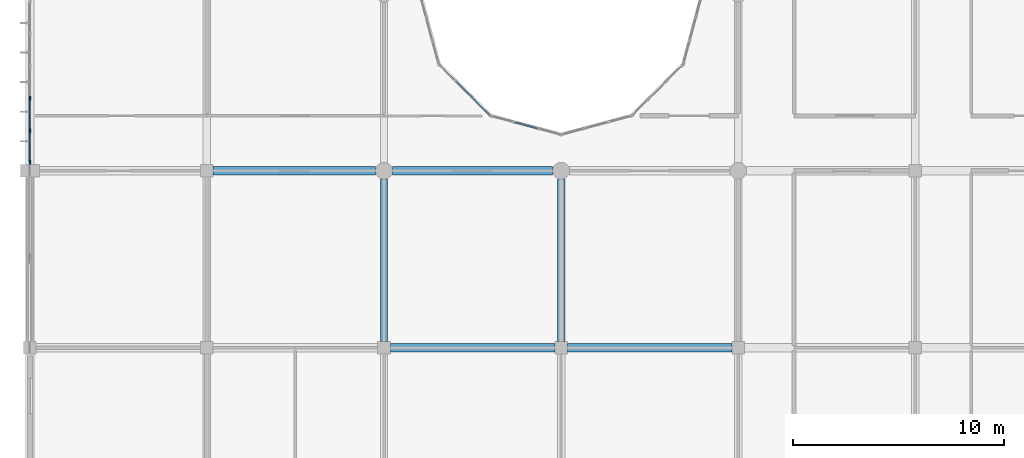
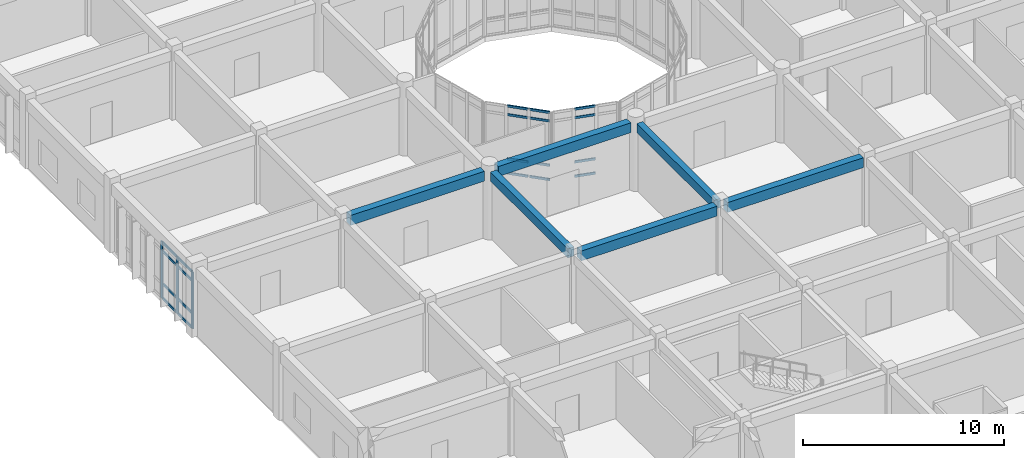
# One storey, part 31 of 144: 23 members, 6 beams, 3 elements without a shape of their own.
"""IFC4 building model written with IfcOpenShell, lengths in metres."""

from ifc_helpers import new_model, si_unit, direction, frame, origin, origin_2d, place, context, subcontext, project, spatial, rectangle, hollow_rectangle, extrude, material, layer, layer_set, material_profile, profile_set, type_object, element, aggregate, save


model = new_model("IFC4")

# Units and contexts
model_context = context("Model", 3, precision=1e-05, world=origin(), true_north=direction((0.0, 1.0)))
body_context = subcontext(model_context, "Body", "Model", "MODEL_VIEW")
ifc_project = project(units=[si_unit("LENGTHUNIT", "METRE"), si_unit("AREAUNIT", "SQUARE_METRE"), si_unit("VOLUMEUNIT", "CUBIC_METRE"), si_unit("PLANEANGLEUNIT", "RADIAN"), si_unit("MASSUNIT", "GRAM", prefix="KILO")], contexts=[model_context])

# Site, building, storey
site_placement = place(None, origin())
site = spatial("IfcSite", under=ifc_project, at=site_placement, CompositionType="ELEMENT")
building_placement = place(site_placement, origin())
building = spatial("IfcBuilding", under=site, at=building_placement, Name="Bramfleet General Hospital", CompositionType="ELEMENT")
storey_placement = place(building_placement, frame((0.0, 0.0, 4.800048828125)))
storey = spatial("IfcBuildingStorey", under=building, at=storey_placement, Name="L01", CompositionType="ELEMENT", Elevation=4.800048828125)

# Beams
ifc_material_1 = material(Name="Concrete C35/45", Category="concrete")
ifc_material_profile_1 = material_profile(ifc_material_1, rectangle(XDim=0.35009765625, YDim=0.550048828125, at=origin_2d()), Name="RC BM 550x350")
ifc_profile_set_1 = profile_set([ifc_material_profile_1], Name="Concrete C35/45")
beam_type_1 = type_object("IfcBeamType", Name="BM-RC550", PredefinedType="BEAM", material=ifc_profile_set_1)
for number, where, z_axis, x_axis, name in (
    (1, (16.800048828125, 67.5, 3.875), (0.0, 1.0, 0.0), (-1.0, 0.0, 0.0), "L01 Grid Beam Y 02-08"),
    (2, (25.199951171875, 67.5, 3.875), (0.0, 1.0, 0.0), (-1.0, 0.0, 0.0), "L01 Grid Beam Y 03-08"),
):
    element("IfcBeam", number, at=place(storey_placement, frame(where, z_axis=z_axis, x_axis=x_axis)), inside=storey, type_object=beam_type_1, Name=name, PredefinedType="BEAM", context=body_context, shape_type="SweptSolid", body=[
        extrude(rectangle(XDim=0.35009765625, YDim=0.550048828125, at=origin_2d()), origin(), (0.0, 0.0, 1.0), 7.699951171875),
    ])
ifc_material_profile_2 = material_profile(ifc_material_1, rectangle(XDim=0.39990234375, YDim=0.60009765625, at=origin_2d()), Name="RC BM 600x400")
ifc_profile_set_2 = profile_set([ifc_material_profile_2], Name="Concrete C35/45")
beam_type_2 = type_object("IfcBeamType", Name="BM-RC600", PredefinedType="BEAM", material=ifc_profile_set_2)
beam_1_placement = place(storey_placement, frame((8.699951171875, 75.60009765625, 3.849853515625), z_axis=(1.0, 0.0, 0.0), x_axis=(0.0, 1.0, 0.0)))
element("IfcBeam", 3, at=beam_1_placement, inside=storey, type_object=beam_type_2, Name="L01 Grid Beam X 01-09", PredefinedType="BEAM", context=body_context, shape_type="SweptSolid", body=[
    extrude(rectangle(XDim=0.39990234375, YDim=0.60009765625, at=origin_2d()), origin(), (0.0, 0.0, 1.0), 7.699951171875),
])
beam_2_placement = place(storey_placement, frame((17.10009765625, 67.199951171875, 3.849853515625), z_axis=(1.0, 0.0, 0.0), x_axis=(0.0, 1.0, 0.0)))
element("IfcBeam", 4, at=beam_2_placement, inside=storey, type_object=beam_type_2, Name="L01 Grid Beam X 02-08", PredefinedType="BEAM", context=body_context, shape_type="SweptSolid", body=[
    extrude(rectangle(XDim=0.39990234375, YDim=0.60009765625, at=origin_2d()), origin(), (0.0, 0.0, 1.0), 7.7998046875),
])
beam_3_placement = place(storey_placement, frame((17.199951171875, 75.60009765625, 3.849853515625), z_axis=(1.0, 0.0, 0.0), x_axis=(0.0, 1.0, 0.0)))
element("IfcBeam", 5, at=beam_3_placement, inside=storey, type_object=beam_type_2, Name="L01 Grid Beam X 02-09", PredefinedType="BEAM", context=body_context, shape_type="SweptSolid", body=[
    extrude(rectangle(XDim=0.39990234375, YDim=0.60009765625, at=origin_2d()), origin(), (0.0, 0.0, 1.0), 7.60009765625),
])
beam_4_placement = place(storey_placement, frame((25.5, 67.199951171875, 3.849853515625), z_axis=(1.0, 0.0, 0.0), x_axis=(0.0, 1.0, 0.0)))
element("IfcBeam", 6, at=beam_4_placement, inside=storey, type_object=beam_type_2, Name="L01 Grid Beam X 03-08", PredefinedType="BEAM", context=body_context, shape_type="SweptSolid", body=[
    extrude(rectangle(XDim=0.39990234375, YDim=0.60009765625, at=origin_2d()), origin(), (0.0, 0.0, 1.0), 7.800048828125),
])

# Curtain wall, members
ifc_material_2 = material(Name="Anodised aluminium and low-E triple glazing", Category="aluminium")
ifc_layer_1 = layer(ifc_material_2, 0.179931640625, Name="CWT-CW-06")
ifc_layer_set_1 = layer_set([ifc_layer_1], Name="Anodised aluminium and low-E triple glazing")
curtain_wall_type_1 = type_object("IfcCurtainWallType", Name="CWT-CW-06", PredefinedType="USERDEFINED", material=ifc_layer_set_1)
curtain_wall_1_placement = place(storey_placement, origin())
curtain_wall_1 = element("IfcCurtainWall", 7, at=curtain_wall_1_placement, inside=storey, type_object=curtain_wall_type_1, Name="L01 Curtain Wall 42", ObjectType="Unitised curtain wall", PredefinedType="USERDEFINED")
ifc_material_3 = material(Name="Structural timber GL28h", Category="wood")
ifc_material_profile_3 = material_profile(ifc_material_3, rectangle(XDim=0.070068359375, YDim=0.18994140625, at=origin_2d()), Name="LARCH 190x70")
ifc_profile_set_3 = profile_set([ifc_material_profile_3], Name="Structural timber GL28h")
member_type_1 = type_object("IfcMemberType", Name="CWM-LARCH450", PredefinedType="MULLION", material=ifc_profile_set_3)
member_1_placement = place(storey_placement, frame((0.0, 76.010009765625, 0.0), z_axis=(0.0, 0.0, 1.0), x_axis=(-1.0, 0.0, 0.0)))
member_1 = element("IfcMember", 8, at=member_1_placement, type_object=member_type_1, Name="CW-06 mullion 1", PredefinedType="MULLION", context=body_context, shape_type="SweptSolid", body=[
    extrude(rectangle(XDim=0.070068359375, YDim=0.18994140625, at=origin_2d()), origin(), (0.0, 0.0, 1.0), 3.43994140625),
])
member_2_placement = place(storey_placement, frame((0.0, 77.5048828125, 0.0), z_axis=(0.0, 0.0, 1.0), x_axis=(-1.0, 0.0, 0.0)))
member_2 = element("IfcMember", 9, at=member_2_placement, type_object=member_type_1, Name="CW-06 mullion 2", PredefinedType="MULLION", context=body_context, shape_type="SweptSolid", body=[
    extrude(rectangle(XDim=0.070068359375, YDim=0.18994140625, at=origin_2d()), origin(), (0.0, 0.0, 1.0), 3.43994140625),
])
member_3_placement = place(storey_placement, frame((0.0, 79.034912109375, 0.0), z_axis=(0.0, 0.0, 1.0), x_axis=(-1.0, 0.0, 0.0)))
member_3 = element("IfcMember", 10, at=member_3_placement, type_object=member_type_1, Name="CW-06 mullion 3", PredefinedType="MULLION", context=body_context, shape_type="SweptSolid", body=[
    extrude(rectangle(XDim=0.070068359375, YDim=0.18994140625, at=origin_2d()), origin(), (0.0, 0.0, 1.0), 3.43994140625),
])

ifc_layer_2 = layer(ifc_material_2, 0.179931640625, Name="CWT-CW-18")
ifc_layer_set_2 = layer_set([ifc_layer_2], Name="Anodised aluminium and low-E triple glazing")
curtain_wall_type_2 = type_object("IfcCurtainWallType", Name="CWT-CW-18", PredefinedType="USERDEFINED", material=ifc_layer_set_2)
curtain_wall_2_placement = place(storey_placement, origin())
curtain_wall_2 = element("IfcCurtainWall", 11, at=curtain_wall_2_placement, inside=storey, type_object=curtain_wall_type_2, Name="L01 West Clinical Light Court Curtain Wall 2.1", ObjectType="Stick curtain wall", PredefinedType="USERDEFINED")
ifc_material_4 = material(Name="Anodised aluminium EN AW-6060", Category="aluminium")
ifc_material_profile_4 = material_profile(ifc_material_4, hollow_rectangle(XDim=0.06494140625, YDim=0.139892578125, WallThickness=0.00390625, at=origin_2d()), Name="ALU 140x65x4.0")
ifc_profile_set_4 = profile_set([ifc_material_profile_4], Name="Anodised aluminium EN AW-6060")
member_type_2 = type_object("IfcMemberType", Name="CWT-ALU140", PredefinedType="USERDEFINED", material=ifc_profile_set_4)
member_4_placement = place(storey_placement, frame((20.239990234375, 79.807861328125, 0.032470703125), z_axis=(0.707106781187, -0.707106781187, 0.0), x_axis=(0.707106781187, 0.707106781187, 0.0)))
member_4 = element("IfcMember", 12, at=member_4_placement, type_object=member_type_2, Name="CW-18 transom 2.1", ObjectType="TRANSOM", PredefinedType="USERDEFINED", context=body_context, shape_type="SweptSolid", body=[
    extrude(hollow_rectangle(XDim=0.06494140625, YDim=0.139892578125, WallThickness=0.00390625, at=origin_2d()), origin(), (0.0, 0.0, 1.0), 1.0859375),
])
member_5_placement = place(storey_placement, frame((20.239990234375, 79.807861328125, 0.89990234375), z_axis=(0.707106781187, -0.707106781187, 0.0), x_axis=(0.707106781187, 0.707106781187, 0.0)))
member_5 = element("IfcMember", 13, at=member_5_placement, type_object=member_type_2, Name="CW-18 transom 2.2", ObjectType="TRANSOM", PredefinedType="USERDEFINED", context=body_context, shape_type="SweptSolid", body=[
    extrude(hollow_rectangle(XDim=0.06494140625, YDim=0.139892578125, WallThickness=0.00390625, at=origin_2d()), origin(), (0.0, 0.0, 1.0), 1.0859375),
])
member_6_placement = place(storey_placement, frame((20.239990234375, 79.807861328125, 3.58984375), z_axis=(0.707106781187, -0.707106781187, 0.0), x_axis=(0.707106781187, 0.707106781187, 0.0)))
member_6 = element("IfcMember", 14, at=member_6_placement, type_object=member_type_2, Name="CW-18 transom 2.3", ObjectType="TRANSOM", PredefinedType="USERDEFINED", context=body_context, shape_type="SweptSolid", body=[
    extrude(hollow_rectangle(XDim=0.06494140625, YDim=0.139892578125, WallThickness=0.00390625, at=origin_2d()), origin(), (0.0, 0.0, 1.0), 1.0859375),
])
member_7_placement = place(storey_placement, frame((20.239990234375, 79.807861328125, 4.107421875), z_axis=(0.707106781187, -0.707106781187, 0.0), x_axis=(0.707106781187, 0.707106781187, 0.0)))
member_7 = element("IfcMember", 15, at=member_7_placement, type_object=member_type_2, Name="CW-18 transom 2.4", ObjectType="TRANSOM", PredefinedType="USERDEFINED", context=body_context, shape_type="SweptSolid", body=[
    extrude(hollow_rectangle(XDim=0.06494140625, YDim=0.139892578125, WallThickness=0.00390625, at=origin_2d()), origin(), (0.0, 0.0, 1.0), 1.0859375),
])
member_8_placement = place(storey_placement, frame((21.057373046875, 78.990478515625, 0.032470703125), z_axis=(0.707222938356, -0.706990604933, 0.0), x_axis=(0.706990604933, 0.707222938356, 0.0)))
member_8 = element("IfcMember", 16, at=member_8_placement, type_object=member_type_2, Name="CW-18 transom 3.1", ObjectType="TRANSOM", PredefinedType="USERDEFINED", context=body_context, shape_type="SweptSolid", body=[
    extrude(hollow_rectangle(XDim=0.06494140625, YDim=0.139892578125, WallThickness=0.00390625, at=origin_2d()), origin(), (0.0, 0.0, 1.0), 1.05078125),
])
member_9_placement = place(storey_placement, frame((21.057373046875, 78.990478515625, 0.89990234375), z_axis=(0.707222938356, -0.706990604933, 0.0), x_axis=(0.706990604933, 0.707222938356, 0.0)))
member_9 = element("IfcMember", 17, at=member_9_placement, type_object=member_type_2, Name="CW-18 transom 3.2", ObjectType="TRANSOM", PredefinedType="USERDEFINED", context=body_context, shape_type="SweptSolid", body=[
    extrude(hollow_rectangle(XDim=0.06494140625, YDim=0.139892578125, WallThickness=0.00390625, at=origin_2d()), origin(), (0.0, 0.0, 1.0), 1.05078125),
])
member_10_placement = place(storey_placement, frame((21.057373046875, 78.990478515625, 3.58984375), z_axis=(0.707222938356, -0.706990604933, 0.0), x_axis=(0.706990604933, 0.707222938356, 0.0)))
member_10 = element("IfcMember", 18, at=member_10_placement, type_object=member_type_2, Name="CW-18 transom 3.3", ObjectType="TRANSOM", PredefinedType="USERDEFINED", context=body_context, shape_type="SweptSolid", body=[
    extrude(hollow_rectangle(XDim=0.06494140625, YDim=0.139892578125, WallThickness=0.00390625, at=origin_2d()), origin(), (0.0, 0.0, 1.0), 1.05078125),
])
member_11_placement = place(storey_placement, frame((21.057373046875, 78.990478515625, 4.107421875), z_axis=(0.707222938356, -0.706990604933, 0.0), x_axis=(0.706990604933, 0.707222938356, 0.0)))
member_11 = element("IfcMember", 19, at=member_11_placement, type_object=member_type_2, Name="CW-18 transom 3.4", ObjectType="TRANSOM", PredefinedType="USERDEFINED", context=body_context, shape_type="SweptSolid", body=[
    extrude(hollow_rectangle(XDim=0.06494140625, YDim=0.139892578125, WallThickness=0.00390625, at=origin_2d()), origin(), (0.0, 0.0, 1.0), 1.05078125),
])
aggregate(curtain_wall_2, [member_4, member_5, member_6, member_7, member_8, member_9, member_10, member_11])

ifc_layer_3 = layer(ifc_material_2, 0.179931640625, Name="CWT-CW-11")
ifc_layer_set_3 = layer_set([ifc_layer_3], Name="Anodised aluminium and low-E triple glazing")
curtain_wall_type_3 = type_object("IfcCurtainWallType", Name="CWT-CW-11", PredefinedType="USERDEFINED", material=ifc_layer_set_3)
curtain_wall_3_placement = place(storey_placement, origin())
curtain_wall_3 = element("IfcCurtainWall", 20, at=curtain_wall_3_placement, inside=storey, type_object=curtain_wall_type_3, Name="L01 West Clinical Light Court Curtain Wall 3.1", ObjectType="Stick curtain wall", PredefinedType="USERDEFINED")
member_12_placement = place(storey_placement, frame((23.00048828125, 77.8896484375, 0.032470703125), z_axis=(0.965890845787, -0.258949558843, 0.0), x_axis=(0.258949558843, 0.965890845787, 0.0)))
member_12 = element("IfcMember", 21, at=member_12_placement, type_object=member_type_2, Name="CW-11 transom 2.1", ObjectType="TRANSOM", PredefinedType="USERDEFINED", context=body_context, shape_type="SweptSolid", body=[
    extrude(hollow_rectangle(XDim=0.06494140625, YDim=0.139892578125, WallThickness=0.00390625, at=origin_2d()), origin(), (0.0, 0.0, 1.0), 1.086181640625),
])
member_13_placement = place(storey_placement, frame((23.00048828125, 77.8896484375, 0.89990234375), z_axis=(0.965890845787, -0.258949558843, 0.0), x_axis=(0.258949558843, 0.965890845787, 0.0)))
member_13 = element("IfcMember", 22, at=member_13_placement, type_object=member_type_2, Name="CW-11 transom 2.2", ObjectType="TRANSOM", PredefinedType="USERDEFINED", context=body_context, shape_type="SweptSolid", body=[
    extrude(hollow_rectangle(XDim=0.06494140625, YDim=0.139892578125, WallThickness=0.00390625, at=origin_2d()), origin(), (0.0, 0.0, 1.0), 1.086181640625),
])
member_14_placement = place(storey_placement, frame((23.00048828125, 77.8896484375, 3.58984375), z_axis=(0.965890845787, -0.258949558843, 0.0), x_axis=(0.258949558843, 0.965890845787, 0.0)))
member_14 = element("IfcMember", 23, at=member_14_placement, type_object=member_type_2, Name="CW-11 transom 2.3", ObjectType="TRANSOM", PredefinedType="USERDEFINED", context=body_context, shape_type="SweptSolid", body=[
    extrude(hollow_rectangle(XDim=0.06494140625, YDim=0.139892578125, WallThickness=0.00390625, at=origin_2d()), origin(), (0.0, 0.0, 1.0), 1.086181640625),
])
member_15_placement = place(storey_placement, frame((23.00048828125, 77.8896484375, 4.107421875), z_axis=(0.965890845787, -0.258949558843, 0.0), x_axis=(0.258949558843, 0.965890845787, 0.0)))
member_15 = element("IfcMember", 24, at=member_15_placement, type_object=member_type_2, Name="CW-11 transom 2.4", ObjectType="TRANSOM", PredefinedType="USERDEFINED", context=body_context, shape_type="SweptSolid", body=[
    extrude(hollow_rectangle(XDim=0.06494140625, YDim=0.139892578125, WallThickness=0.00390625, at=origin_2d()), origin(), (0.0, 0.0, 1.0), 1.086181640625),
])
aggregate(curtain_wall_3, [member_12, member_13, member_14, member_15])

# Member
ifc_material_profile_5 = material_profile(ifc_material_3, rectangle(XDim=0.06494140625, YDim=0.14990234375, at=origin_2d()), Name="LARCH 150x65")
ifc_profile_set_5 = profile_set([ifc_material_profile_5], Name="Structural timber GL28h")
member_type_3 = type_object("IfcMemberType", Name="CWT-LARCH220", PredefinedType="USERDEFINED", material=ifc_profile_set_5)
member_16_placement = place(storey_placement, frame((0.0, 76.044921875, 0.032470703125), z_axis=(0.0, 1.0, 0.0), x_axis=(-1.0, 0.0, 0.0)))
member_16 = element("IfcMember", 25, at=member_16_placement, type_object=member_type_3, Name="CW-06 transom 1.1", ObjectType="TRANSOM", PredefinedType="USERDEFINED", context=body_context, shape_type="SweptSolid", body=[
    extrude(rectangle(XDim=0.06494140625, YDim=0.14990234375, at=origin_2d()), origin(), (0.0, 0.0, 1.0), 1.425048828125),
])

member_17_placement = place(storey_placement, frame((0.0, 76.044921875, 0.89990234375), z_axis=(0.0, 1.0, 0.0), x_axis=(-1.0, 0.0, 0.0)))
member_17 = element("IfcMember", 26, at=member_17_placement, type_object=member_type_3, Name="CW-06 transom 1.2", ObjectType="TRANSOM", PredefinedType="USERDEFINED", context=body_context, shape_type="SweptSolid", body=[
    extrude(rectangle(XDim=0.06494140625, YDim=0.14990234375, at=origin_2d()), origin(), (0.0, 0.0, 1.0), 1.425048828125),
])

member_18_placement = place(storey_placement, frame((0.0, 76.044921875, 2.889892578125), z_axis=(0.0, 1.0, 0.0), x_axis=(-1.0, 0.0, 0.0)))
member_18 = element("IfcMember", 27, at=member_18_placement, type_object=member_type_3, Name="CW-06 transom 1.3", ObjectType="TRANSOM", PredefinedType="USERDEFINED", context=body_context, shape_type="SweptSolid", body=[
    extrude(rectangle(XDim=0.06494140625, YDim=0.14990234375, at=origin_2d()), origin(), (0.0, 0.0, 1.0), 1.425048828125),
])

member_19_placement = place(storey_placement, frame((0.0, 76.044921875, 3.407470703125), z_axis=(0.0, 1.0, 0.0), x_axis=(-1.0, 0.0, 0.0)))
member_19 = element("IfcMember", 28, at=member_19_placement, type_object=member_type_3, Name="CW-06 transom 1.4", ObjectType="TRANSOM", PredefinedType="USERDEFINED", context=body_context, shape_type="SweptSolid", body=[
    extrude(rectangle(XDim=0.06494140625, YDim=0.14990234375, at=origin_2d()), origin(), (0.0, 0.0, 1.0), 1.425048828125),
])

member_20_placement = place(storey_placement, frame((0.0, 77.5400390625, 0.032470703125), z_axis=(0.0, 1.0, 0.0), x_axis=(-1.0, 0.0, 0.0)))
member_20 = element("IfcMember", 29, at=member_20_placement, type_object=member_type_3, Name="CW-06 transom 2.1", ObjectType="TRANSOM", PredefinedType="USERDEFINED", context=body_context, shape_type="SweptSolid", body=[
    extrude(rectangle(XDim=0.06494140625, YDim=0.14990234375, at=origin_2d()), origin(), (0.0, 0.0, 1.0), 1.4599609375),
])

member_21_placement = place(storey_placement, frame((0.0, 77.5400390625, 0.89990234375), z_axis=(0.0, 1.0, 0.0), x_axis=(-1.0, 0.0, 0.0)))
member_21 = element("IfcMember", 30, at=member_21_placement, type_object=member_type_3, Name="CW-06 transom 2.2", ObjectType="TRANSOM", PredefinedType="USERDEFINED", context=body_context, shape_type="SweptSolid", body=[
    extrude(rectangle(XDim=0.06494140625, YDim=0.14990234375, at=origin_2d()), origin(), (0.0, 0.0, 1.0), 1.4599609375),
])

member_22_placement = place(storey_placement, frame((0.0, 77.5400390625, 2.889892578125), z_axis=(0.0, 1.0, 0.0), x_axis=(-1.0, 0.0, 0.0)))
member_22 = element("IfcMember", 31, at=member_22_placement, type_object=member_type_3, Name="CW-06 transom 2.3", ObjectType="TRANSOM", PredefinedType="USERDEFINED", context=body_context, shape_type="SweptSolid", body=[
    extrude(rectangle(XDim=0.06494140625, YDim=0.14990234375, at=origin_2d()), origin(), (0.0, 0.0, 1.0), 1.4599609375),
])

member_23_placement = place(storey_placement, frame((0.0, 77.5400390625, 3.407470703125), z_axis=(0.0, 1.0, 0.0), x_axis=(-1.0, 0.0, 0.0)))
member_23 = element("IfcMember", 32, at=member_23_placement, type_object=member_type_3, Name="CW-06 transom 2.4", ObjectType="TRANSOM", PredefinedType="USERDEFINED", context=body_context, shape_type="SweptSolid", body=[
    extrude(rectangle(XDim=0.06494140625, YDim=0.14990234375, at=origin_2d()), origin(), (0.0, 0.0, 1.0), 1.4599609375),
])

aggregate(curtain_wall_1, [member_1, member_2, member_3, member_16, member_17, member_18, member_19, member_20, member_21, member_22, member_23])

save(model, "model.ifc")
